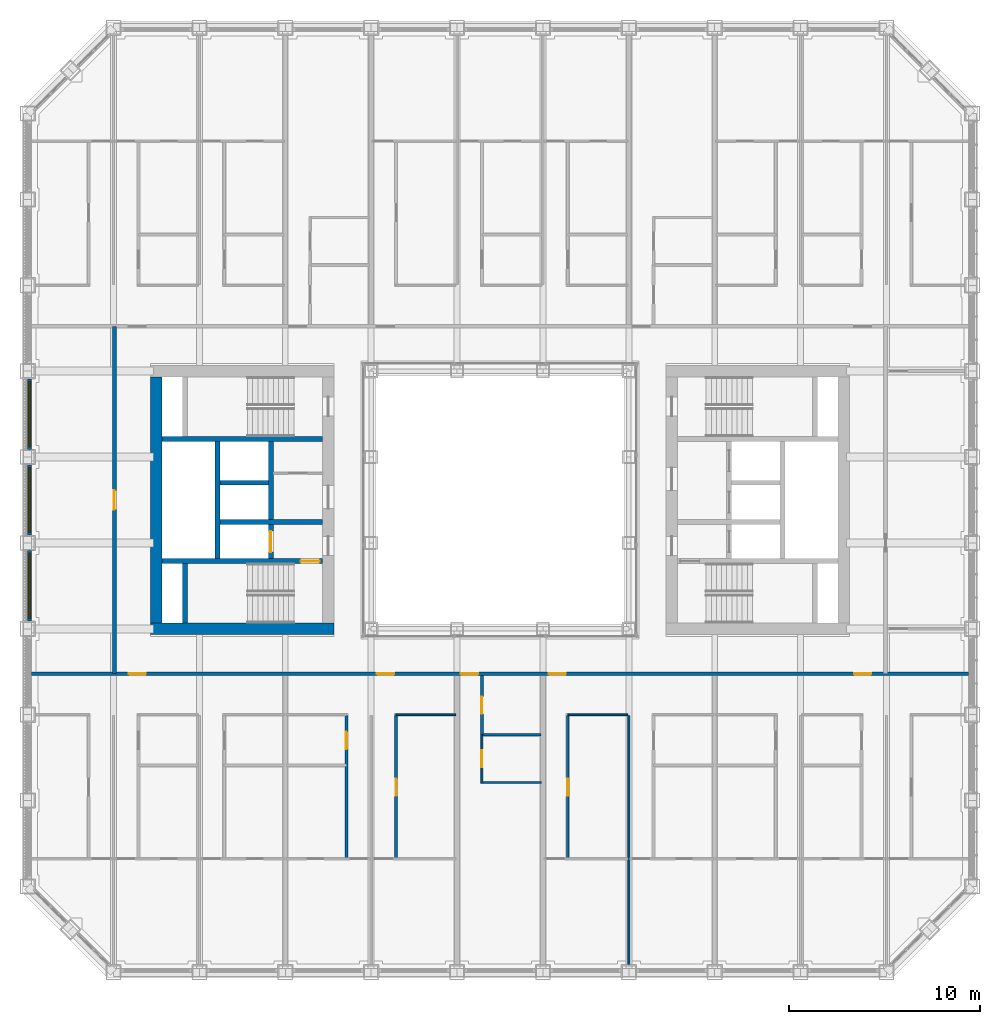
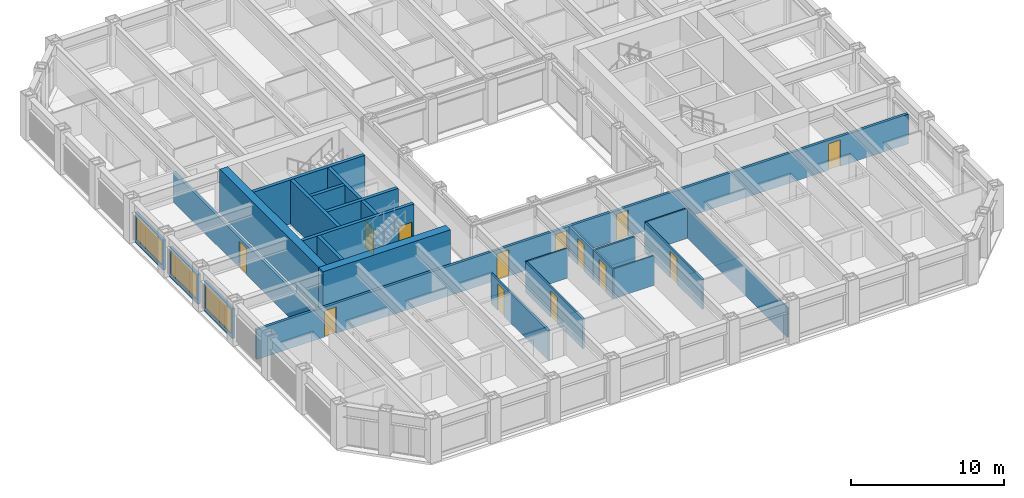
# One storey, part 10 of 20: 24 walls, 13 doors, 3 windows, 16 openings.
"""IFC4 building model written with IfcOpenShell, lengths in metres."""

import ifcopenshell
import ifcopenshell.guid

model = None  # the IFC model being written
_history = None  # IfcOwnerHistory: only IFC2X3 demands one
_inside = {}  # id of a spatial element -> (the spatial element, [elements in it])
_under = {}  # id of a project, library or spatial element -> (it, [spatial elements below it])
_declared = {}  # id of a project -> (the project, [libraries it declares])
_typed = {}  # id of a type object -> (the type object, [elements of that type])
_made_of = {}  # id of a material, layer set ... -> (it, [elements and type objects made of it])


def new_model(schema):
    """Start an empty IFC model of exactly this schema.

    Asked for "IFC4X3", IfcOpenShell would pick the latest addendum, in which some entities
    have other attributes; the version numbers below select the first issue.
    IFC2X3 requires an IfcOwnerHistory on every rooted entity: one is made here for all.
    """
    global model, _history
    if schema == "IFC4X3":
        model = ifcopenshell.file(schema_version=(4, 3, 0, 0))
    else:
        model = ifcopenshell.file(schema=schema)
    _inside.clear()
    _under.clear()
    _declared.clear()
    _typed.clear()
    _made_of.clear()
    _history = None
    if model.schema == "IFC2X3":
        org = make("IfcOrganization", Name="unknown")
        user = make(
            "IfcPersonAndOrganization",
            ThePerson=make("IfcPerson", FamilyName="unknown"),
            TheOrganization=org,
        )
        app = make(
            "IfcApplication",
            ApplicationDeveloper=org,
            Version="unknown",
            ApplicationFullName="unknown",
            ApplicationIdentifier="unknown",
        )
        _history = make(
            "IfcOwnerHistory",
            OwningUser=user,
            OwningApplication=app,
            ChangeAction="ADDED",
            CreationDate=0,
        )
    return model


def make(cls, **values):
    """One entity of the class cls with the attributes given. An attribute that is None is left unset."""
    return model.create_entity(
        cls, **{name: value for name, value in values.items() if value is not None}
    )


def rooted(cls, **values):
    """An entity with a GlobalId (a new one), such as an element, a storey or a relation."""
    return make(cls, GlobalId=ifcopenshell.guid.new(), OwnerHistory=_history, **values)


def si_unit(unit_type, name, prefix=None):
    """IfcSIUnit, for example si_unit("LENGTHUNIT", "METRE", prefix="MILLI")."""
    return make("IfcSIUnit", UnitType=unit_type, Prefix=prefix, Name=name)


def assignment(units):
    """IfcUnitAssignment: the units of a project."""
    return None if units is None else make("IfcUnitAssignment", Units=units)


def point(xyz):
    """IfcCartesianPoint."""
    return None if xyz is None else make("IfcCartesianPoint", Coordinates=xyz)


def direction(xyz):
    """IfcDirection."""
    return None if xyz is None else make("IfcDirection", DirectionRatios=xyz)


def frame(location, z_axis=None, x_axis=None):
    """IfcAxis2Placement3D, a coordinate frame: its origin and axes. An axis left out is left unset."""
    return make(
        "IfcAxis2Placement3D",
        Location=point(location),
        Axis=direction(z_axis),
        RefDirection=direction(x_axis),
    )


def frame_2d(location, x_axis=None):
    """IfcAxis2Placement2D, a coordinate frame in the plane: its origin and x axis."""
    return make(
        "IfcAxis2Placement2D", Location=point(location), RefDirection=direction(x_axis)
    )


def origin():
    """The frame at (0, 0, 0) with its axes left unset."""
    return frame((0.0, 0.0, 0.0))


def place(relative_to, where):
    """IfcLocalPlacement: puts the frame where relative to a parent placement (None: the world)."""
    return make(
        "IfcLocalPlacement", PlacementRelTo=relative_to, RelativePlacement=where
    )


def context(
    kind, dimensions, precision=None, world=None, true_north=None, identifier=None
):
    """IfcGeometricRepresentationContext, for example the 3D "Model" context."""
    return make(
        "IfcGeometricRepresentationContext",
        ContextIdentifier=identifier,
        ContextType=kind,
        CoordinateSpaceDimension=dimensions,
        Precision=precision,
        WorldCoordinateSystem=world,
        TrueNorth=true_north,
    )


def subcontext(parent, identifier, kind, view, scale=None):
    """IfcGeometricRepresentationSubContext, for example "Body" below "Model"."""
    return make(
        "IfcGeometricRepresentationSubContext",
        ContextIdentifier=identifier,
        ContextType=kind,
        ParentContext=parent,
        TargetScale=scale,
        TargetView=view,
    )


def project(units=None, contexts=None):
    """IfcProject with its units and contexts."""
    return rooted(
        "IfcProject",
        Name="project",
        RepresentationContexts=contexts,
        UnitsInContext=assignment(units),
    )


def spatial(cls, under=None, at=None, **own):
    """A site, building, storey or space (cls), placed at a placement, below another one or the project."""
    s = rooted(cls, ObjectPlacement=at, **own)
    if under is not None:
        _under.setdefault(under.id(), (under, []))[1].append(s)
    return s


def profile(cls, at=None, kind="AREA", **sizes):
    """A parametric profile (cls). Its sizes go by their IFC names, for example OverallWidth=200.0."""
    return make(cls, ProfileType=kind, Position=at, **sizes)


def rectangle(**sizes):
    """IfcRectangleProfileDef."""
    return profile("IfcRectangleProfileDef", **sizes)


def extrude(swept, where, along, depth):
    """IfcExtrudedAreaSolid: the profile swept, set in the frame where, extruded along a direction by depth."""
    return make(
        "IfcExtrudedAreaSolid",
        SweptArea=swept,
        Position=where,
        ExtrudedDirection=direction(along),
        Depth=depth,
    )


def shape(context_of_items, identifier, shape_type, items):
    """IfcShapeRepresentation: the items that make up one representation, for example the "Body"."""
    return make(
        "IfcShapeRepresentation",
        ContextOfItems=context_of_items,
        RepresentationIdentifier=identifier,
        RepresentationType=shape_type,
        Items=items,
    )


def material(Name=None, Category=None):
    """IfcMaterial."""
    return make("IfcMaterial", Name=Name, Category=Category)


def layer(
    of_material, thickness, ventilated=None, Name=None, Category=None, Priority=None
):
    """IfcMaterialLayer: one layer of a wall or slab, of a material (None: an air gap)."""
    return make(
        "IfcMaterialLayer",
        Material=of_material,
        LayerThickness=thickness,
        IsVentilated=ventilated,
        Name=Name,
        Category=Category,
        Priority=Priority,
    )


def layer_set(layers, Name=None):
    """IfcMaterialLayerSet."""
    return make("IfcMaterialLayerSet", MaterialLayers=layers, LayerSetName=Name)


def made_of(thing, what):
    """Note that an element or type object is made of a material, layer set ...; save() writes the relation."""
    if what is not None:
        _made_of.setdefault(what.id(), (what, []))[1].append(thing)
    return thing


def type_object(cls, material=None, **own):
    """A type object (cls), such as IfcWallType, which elements share."""
    return made_of(rooted(cls, **own), material)


def element(
    cls,
    number,
    at=None,
    inside=None,
    cuts=None,
    type_object=None,
    material=None,
    context=None,
    identifier="Body",
    shape_type=None,
    held_by="IfcProductDefinitionShape",
    body=None,
    shapes=None,
    **own,
):
    """One element of the class cls, such as IfcWall. Its Tag is "e" and its number.

    at: its placement. inside: the storey or other place that contains it. cuts: it is an
    opening in that element (IfcRelVoidsElement). A single representation is given by context,
    identifier, shape_type and body (its items); several are given by shapes. held_by: the class
    of the entity that holds the representations. save() writes the other relations.
    """
    e = rooted(cls, Tag="e%d" % number, ObjectPlacement=at, **own)
    if body is not None:
        shapes = [shape(context, identifier, shape_type, body)]
    if shapes is not None:
        e.Representation = make(held_by, Representations=shapes)
    if inside is not None:
        _inside.setdefault(inside.id(), (inside, []))[1].append(e)
    if cuts is not None:
        rooted(
            "IfcRelVoidsElement", RelatingBuildingElement=cuts, RelatedOpeningElement=e
        )
    if type_object is not None:
        _typed.setdefault(type_object.id(), (type_object, []))[1].append(e)
    return made_of(e, material)


def fill(opening, filler):
    """IfcRelFillsElement: the door or window that sits in an opening."""
    return rooted(
        "IfcRelFillsElement",
        RelatingOpeningElement=opening,
        RelatedBuildingElement=filler,
    )


def aggregate(whole, parts):
    """IfcRelAggregates: a whole, such as a stair, and the parts it consists of."""
    return rooted("IfcRelAggregates", RelatingObject=whole, RelatedObjects=parts)


def save(model, path):
    """Write the relations noted so far, then the file.

    IfcRelAggregates (storeys below a building ...), IfcRelContainedInSpatialStructure (elements
    in a storey), IfcRelDefinesByType, IfcRelAssociatesMaterial and IfcRelDeclares: one each for
    every whole, place, type object, material and project.
    """
    for whole, parts in _under.values():
        aggregate(whole, parts)
    for where, things in _inside.values():
        rooted(
            "IfcRelContainedInSpatialStructure",
            RelatedElements=things,
            RelatingStructure=where,
        )
    for kind, things in _typed.values():
        rooted("IfcRelDefinesByType", RelatedObjects=things, RelatingType=kind)
    for what, things in _made_of.values():
        rooted("IfcRelAssociatesMaterial", RelatedObjects=things, RelatingMaterial=what)
    for by, libraries in _declared.values():
        rooted("IfcRelDeclares", RelatingContext=by, RelatedDefinitions=libraries)
    model.write(path)


model = new_model("IFC4")

# Units and contexts
model_context = context("Model", 3, precision=1e-05, world=origin(), true_north=direction((0.0, 1.0)))
body_context = subcontext(model_context, "Body", "Model", "MODEL_VIEW")
ifc_project = project(units=[si_unit("LENGTHUNIT", "METRE"), si_unit("AREAUNIT", "SQUARE_METRE"), si_unit("VOLUMEUNIT", "CUBIC_METRE"), si_unit("PLANEANGLEUNIT", "RADIAN"), si_unit("MASSUNIT", "GRAM", prefix="KILO")], contexts=[model_context])

# Site, building, storey
site_placement = place(None, origin())
site = spatial("IfcSite", under=ifc_project, at=site_placement, CompositionType="ELEMENT")
building_placement = place(site_placement, origin())
building = spatial("IfcBuilding", under=site, at=building_placement, Name="Msasa Ring Tower", CompositionType="ELEMENT")
storey_placement = place(building_placement, frame((0.0, 0.0, 65.0)))
storey = spatial("IfcBuildingStorey", under=building, at=storey_placement, Name="L16", CompositionType="ELEMENT", Elevation=65.0)

# Walls
ifc_material_1 = material(Name="Concrete C60/75", Category="concrete")
ifc_layer_1 = layer(ifc_material_1, 0.60009765625)
ifc_layer_set_1 = layer_set([ifc_layer_1], Name="CW1 CORE WALL 600")
wall_type_1 = type_object("IfcWallType", Name="CW1 CORE WALL 600", PredefinedType="SHEAR", material=ifc_layer_set_1)
wall_1_placement = place(storey_placement, frame((-8.699951171875, -6.75, 0.0), z_axis=(0.0, 0.0, 1.0), x_axis=(-1.0, 0.0, 0.0)))
element("IfcWall", 1, at=wall_1_placement, inside=storey, type_object=wall_type_1, Name="W core wall S L16", PredefinedType="SHEAR", context=body_context, shape_type="SweptSolid", body=[
    extrude(rectangle(XDim=9.60009765625, YDim=0.60009765625, at=frame_2d((4.800048828125, 0.0))), origin(), (0.0, 0.0, 1.0), 3.5),
])
wall_2_placement = place(storey_placement, frame((-18.0, -6.449951171875, 0.0), z_axis=(0.0, 0.0, 1.0), x_axis=(0.0, 1.0, 0.0)))
element("IfcWall", 2, at=wall_2_placement, inside=storey, type_object=wall_type_1, Name="W core wall E L16", PredefinedType="SHEAR", context=body_context, shape_type="SweptSolid", body=[
    extrude(rectangle(XDim=12.89990234375, YDim=0.60009765625, at=frame_2d((6.449951171875, 0.0))), origin(), (0.0, 0.0, 1.0), 3.5),
])

# Wall, opening, door
ifc_material_2 = material(Name="Concrete C60/75", Category="concrete")
ifc_layer_2 = layer(ifc_material_2, 0.25)
ifc_layer_set_2 = layer_set([ifc_layer_2], Name="CW4 CORE INNER WALL 250")
wall_type_2 = type_object("IfcWallType", Name="CW4 CORE INNER WALL 250", PredefinedType="SHEAR", material=ifc_layer_set_2)
wall_3_placement = place(storey_placement, frame((-9.300048828125, -3.199951171875, 0.0), z_axis=(0.0, 0.0, 1.0), x_axis=(-1.0, 0.0, 0.0)))
wall_3 = element("IfcWall", 3, at=wall_3_placement, inside=storey, type_object=wall_type_2, Name="W core wall STAIRA L16", PredefinedType="SHEAR", context=body_context, shape_type="SweptSolid", body=[
    extrude(rectangle(XDim=8.39990234375, YDim=0.25, at=frame_2d((4.199951171875, 0.0))), origin(), (0.0, 0.0, 1.0), 3.5),
])
opening_1_placement = place(wall_3_placement, frame((0.14990234375, 0.0, 0.0)))
opening_1 = element("IfcOpeningElement", 4, at=opening_1_placement, cuts=wall_3, Name="Opening RD-044", PredefinedType="OPENING", context=body_context, shape_type="SweptSolid", body=[
    extrude(rectangle(XDim=1.0, YDim=2.10009765625, at=frame_2d((0.5, 1.050048828125))), frame((0.0, 0.135009765625, 0.0), z_axis=(0.0, -1.0, 0.0), x_axis=(1.0, 0.0, 0.0)), (0.0, 0.0, 1.0), 0.27001953125),
])
ifc_material_3 = material(Name="Timber door leaf in a steel frame", Category="steel")
door_type_1 = type_object("IfcDoorType", Name="D6 STAIR DOOR 1000x2100", OperationType="SINGLE_SWING_LEFT", PredefinedType="DOOR", material=ifc_material_3)
door_1_placement = place(opening_1_placement, origin())
door_1 = element("IfcDoor", 5, at=door_1_placement, inside=storey, type_object=door_type_1, Name="Door L16-WSTA", OperationType="SINGLE_SWING_LEFT", OverallHeight=2.10009765625, OverallWidth=1.0, PredefinedType="DOOR", context=body_context, shape_type="SweptSolid", body=[
    extrude(rectangle(XDim=1.0, YDim=2.10009765625, at=frame_2d((0.5, 1.050048828125))), frame((0.0, 0.02490234375, 0.0), z_axis=(0.0, -1.0, 0.0), x_axis=(1.0, 0.0, 0.0)), (0.0, 0.0, 1.0), 0.050048828125),
])
fill(opening_1, door_1)

# Walls
wall_4_placement = place(storey_placement, frame((-9.300048828125, 3.199951171875, 0.0), z_axis=(0.0, 0.0, 1.0), x_axis=(-1.0, 0.0, 0.0)))
element("IfcWall", 6, at=wall_4_placement, inside=storey, type_object=wall_type_2, Name="W core wall STAIRB L16", PredefinedType="SHEAR", context=body_context, shape_type="SweptSolid", body=[
    extrude(rectangle(XDim=8.39990234375, YDim=0.25, at=frame_2d((4.199951171875, 0.0))), origin(), (0.0, 0.0, 1.0), 3.5),
])
wall_5_placement = place(storey_placement, frame((-16.5, -6.449951171875, 0.0), z_axis=(0.0, 0.0, 1.0), x_axis=(0.0, 1.0, 0.0)))
element("IfcWall", 7, at=wall_5_placement, inside=storey, type_object=wall_type_2, Name="W core wall RISERA L16", PredefinedType="SHEAR", context=body_context, shape_type="SweptSolid", body=[
    extrude(rectangle(XDim=3.125, YDim=0.25, at=frame_2d((1.5625, 0.0))), origin(), (0.0, 0.0, 1.0), 3.5),
])
wall_6_placement = place(storey_placement, frame((-9.300048828125, -1.14990234375, 0.0), z_axis=(0.0, 0.0, 1.0), x_axis=(-1.0, 0.0, 0.0)))
element("IfcWall", 8, at=wall_6_placement, inside=storey, type_object=wall_type_2, Name="W core wall FFL L16", PredefinedType="SHEAR", context=body_context, shape_type="SweptSolid", body=[
    extrude(rectangle(XDim=5.375, YDim=0.25, at=frame_2d((2.6875, 0.0))), origin(), (0.0, 0.0, 1.0), 3.5),
])

# Wall, opening, door
wall_7_placement = place(storey_placement, frame((-12.0, -3.074951171875, 0.0), z_axis=(0.0, 0.0, 1.0), x_axis=(0.0, 1.0, 0.0)))
wall_7 = element("IfcWall", 9, at=wall_7_placement, inside=storey, type_object=wall_type_2, Name="W core wall LOBBY L16", PredefinedType="SHEAR", context=body_context, shape_type="SweptSolid", body=[
    extrude(rectangle(XDim=6.14990234375, YDim=0.25, at=frame_2d((3.074951171875, 0.0))), origin(), (0.0, 0.0, 1.0), 3.5),
])
opening_2_placement = place(wall_7_placement, frame((0.35009765625, 0.0, 0.0)))
opening_2 = element("IfcOpeningElement", 10, at=opening_2_placement, cuts=wall_7, Name="Opening LD1", PredefinedType="OPENING", context=body_context, shape_type="SweptSolid", body=[
    extrude(rectangle(XDim=1.10009765625, YDim=2.10009765625, at=frame_2d((0.550048828125, 1.050048828125))), frame((0.0, 0.135009765625, 0.0), z_axis=(0.0, -1.0, 0.0), x_axis=(1.0, 0.0, 0.0)), (0.0, 0.0, 1.0), 0.27001953125),
])
ifc_material_4 = material(Name="Stainless steel lift landing door", Category="steel")
door_type_2 = type_object("IfcDoorType", Name="LD1 LIFT LANDING DOOR 1100x2100", OperationType="DOUBLE_DOOR_SLIDING", PredefinedType="DOOR", material=ifc_material_4)
door_2_placement = place(opening_2_placement, origin())
door_2 = element("IfcDoor", 11, at=door_2_placement, inside=storey, type_object=door_type_2, Name="Lift landing door FL-W L16", OperationType="DOUBLE_DOOR_SLIDING", OverallHeight=2.10009765625, OverallWidth=1.10009765625, PredefinedType="DOOR", context=body_context, shape_type="SweptSolid", body=[
    extrude(rectangle(XDim=1.10009765625, YDim=2.10009765625, at=frame_2d((0.550048828125, 1.050048828125))), frame((0.0, 0.02490234375, 0.0), z_axis=(0.0, -1.0, 0.0), x_axis=(1.0, 0.0, 0.0)), (0.0, 0.0, 1.0), 0.050048828125),
])
fill(opening_2, door_2)

# Walls
wall_8_placement = place(storey_placement, frame((-14.800048828125, -3.074951171875, 0.0), z_axis=(0.0, 0.0, 1.0), x_axis=(0.0, 1.0, 0.0)))
element("IfcWall", 12, at=wall_8_placement, inside=storey, type_object=wall_type_2, Name="W core wall SHAFT L16", PredefinedType="SHEAR", context=body_context, shape_type="SweptSolid", body=[
    extrude(rectangle(XDim=6.14990234375, YDim=0.25, at=frame_2d((3.074951171875, 0.0))), origin(), (0.0, 0.0, 1.0), 3.5),
])
wall_9_placement = place(storey_placement, frame((-12.125, 0.89990234375, 0.0), z_axis=(0.0, 0.0, 1.0), x_axis=(-1.0, 0.0, 0.0)))
element("IfcWall", 13, at=wall_9_placement, inside=storey, type_object=wall_type_2, Name="W core wall LIFT1 L16", PredefinedType="SHEAR", context=body_context, shape_type="SweptSolid", body=[
    extrude(rectangle(XDim=2.550048828125, YDim=0.25, at=frame_2d((1.27490234375, 0.0))), origin(), (0.0, 0.0, 1.0), 3.5),
])

# Wall, opening, window
ifc_material_5 = material(Name="Terracotta rainscreen on blockwork", Category="masonry")
ifc_layer_3 = layer(ifc_material_5, 0.199951171875)
ifc_layer_set_3 = layer_set([ifc_layer_3], Name="FW1 TERRACOTTA-LINED INFILL BAY WALL 200")
wall_type_3 = type_object("IfcWallType", Name="FW1 TERRACOTTA-LINED INFILL BAY WALL 200", PredefinedType="SOLIDWALL", material=ifc_layer_set_3)
wall_10_placement = place(storey_placement, frame((-24.64990234375, -6.344970703125, 0.0), z_axis=(0.0, 0.0, 1.0), x_axis=(0.0, 1.0, 0.0)))
wall_10 = element("IfcWall", 14, at=wall_10_placement, inside=storey, type_object=wall_type_3, Name="Infill bay wall W L16 36", PredefinedType="SOLIDWALL", context=body_context, shape_type="SweptSolid", body=[
    extrude(rectangle(XDim=3.68994140625, YDim=0.199951171875, at=frame_2d((1.844970703125, 0.0))), origin(), (0.0, 0.0, 1.0), 2.37890625),
])
opening_3_placement = place(wall_10_placement, frame((0.14501953125, 0.0, 0.300048828125)))
opening_3 = element("IfcOpeningElement", 15, at=opening_3_placement, cuts=wall_10, Name="Opening WN1", PredefinedType="OPENING", context=body_context, shape_type="SweptSolid", body=[
    extrude(rectangle(XDim=3.39990234375, YDim=1.928955078125, at=frame_2d((1.699951171875, 0.96435546875))), frame((0.0, 0.10986328125, 0.0), z_axis=(0.0, -1.0, 0.0), x_axis=(1.0, 0.0, 0.0)), (0.0, 0.0, 1.0), 0.219970703125),
])
ifc_material_6 = material(Name="Aluminium frame with clear glass", Category="aluminium")
window_type = type_object("IfcWindowType", Name="WN1 RESIDENCE WINDOW 3400x1929", PartitioningType="SINGLE_PANEL", PredefinedType="WINDOW", material=ifc_material_6)
window_1_placement = place(opening_3_placement, origin())
window_1 = element("IfcWindow", 16, at=window_1_placement, inside=storey, type_object=window_type, Name="Window W L16 36", OverallHeight=1.928955078125, OverallWidth=3.39990234375, PartitioningType="SINGLE_PANEL", PredefinedType="WINDOW", context=body_context, shape_type="SweptSolid", body=[
    extrude(rectangle(XDim=3.39990234375, YDim=1.928955078125, at=frame_2d((1.699951171875, 0.96435546875))), frame((0.0, 0.030029296875, 0.0), z_axis=(0.0, -1.0, 0.0), x_axis=(1.0, 0.0, 0.0)), (0.0, 0.0, 1.0), 0.06005859375),
])
fill(opening_3, window_1)

wall_11_placement = place(storey_placement, frame((-24.64990234375, -1.844970703125, 0.0), z_axis=(0.0, 0.0, 1.0), x_axis=(0.0, 1.0, 0.0)))
wall_11 = element("IfcWall", 17, at=wall_11_placement, inside=storey, type_object=wall_type_3, Name="Infill bay wall W L16 37", PredefinedType="SOLIDWALL", context=body_context, shape_type="SweptSolid", body=[
    extrude(rectangle(XDim=3.68994140625, YDim=0.199951171875, at=frame_2d((1.844970703125, 0.0))), origin(), (0.0, 0.0, 1.0), 2.37890625),
])
opening_4_placement = place(wall_11_placement, frame((0.14501953125, 0.0, 0.300048828125)))
opening_4 = element("IfcOpeningElement", 18, at=opening_4_placement, cuts=wall_11, Name="Opening WN1", PredefinedType="OPENING", context=body_context, shape_type="SweptSolid", body=[
    extrude(rectangle(XDim=3.39990234375, YDim=1.928955078125, at=frame_2d((1.699951171875, 0.96435546875))), frame((0.0, 0.10986328125, 0.0), z_axis=(0.0, -1.0, 0.0), x_axis=(1.0, 0.0, 0.0)), (0.0, 0.0, 1.0), 0.219970703125),
])
window_2_placement = place(opening_4_placement, origin())
window_2 = element("IfcWindow", 19, at=window_2_placement, inside=storey, type_object=window_type, Name="Window W L16 37", OverallHeight=1.928955078125, OverallWidth=3.39990234375, PartitioningType="SINGLE_PANEL", PredefinedType="WINDOW", context=body_context, shape_type="SweptSolid", body=[
    extrude(rectangle(XDim=3.39990234375, YDim=1.928955078125, at=frame_2d((1.699951171875, 0.96435546875))), frame((0.0, 0.030029296875, 0.0), z_axis=(0.0, -1.0, 0.0), x_axis=(1.0, 0.0, 0.0)), (0.0, 0.0, 1.0), 0.06005859375),
])
fill(opening_4, window_2)

wall_12_placement = place(storey_placement, frame((-24.64990234375, 2.655029296875, 0.0), z_axis=(0.0, 0.0, 1.0), x_axis=(0.0, 1.0, 0.0)))
wall_12 = element("IfcWall", 20, at=wall_12_placement, inside=storey, type_object=wall_type_3, Name="Infill bay wall W L16 38", PredefinedType="SOLIDWALL", context=body_context, shape_type="SweptSolid", body=[
    extrude(rectangle(XDim=3.68994140625, YDim=0.199951171875, at=frame_2d((1.844970703125, 0.0))), origin(), (0.0, 0.0, 1.0), 2.37890625),
])
opening_5_placement = place(wall_12_placement, frame((0.14501953125, 0.0, 0.300048828125)))
opening_5 = element("IfcOpeningElement", 21, at=opening_5_placement, cuts=wall_12, Name="Opening WN1", PredefinedType="OPENING", context=body_context, shape_type="SweptSolid", body=[
    extrude(rectangle(XDim=3.39990234375, YDim=1.928955078125, at=frame_2d((1.699951171875, 0.96435546875))), frame((0.0, 0.10986328125, 0.0), z_axis=(0.0, -1.0, 0.0), x_axis=(1.0, 0.0, 0.0)), (0.0, 0.0, 1.0), 0.219970703125),
])
window_3_placement = place(opening_5_placement, origin())
window_3 = element("IfcWindow", 22, at=window_3_placement, inside=storey, type_object=window_type, Name="Window W L16 38", OverallHeight=1.928955078125, OverallWidth=3.39990234375, PartitioningType="SINGLE_PANEL", PredefinedType="WINDOW", context=body_context, shape_type="SweptSolid", body=[
    extrude(rectangle(XDim=3.39990234375, YDim=1.928955078125, at=frame_2d((1.699951171875, 0.96435546875))), frame((0.0, 0.030029296875, 0.0), z_axis=(0.0, -1.0, 0.0), x_axis=(1.0, 0.0, 0.0)), (0.0, 0.0, 1.0), 0.06005859375),
])
fill(opening_5, window_3)

# Wall, openings, doors
ifc_material_7 = material(Name="Concrete blockwork", Category="masonry")
ifc_layer_4 = layer(ifc_material_7, 0.199951171875)
ifc_layer_set_4 = layer_set([ifc_layer_4], Name="PT1 CORRIDOR WALL 200")
wall_type_4 = type_object("IfcWallType", Name="PT1 CORRIDOR WALL 200", PredefinedType="PARTITIONING", material=ifc_layer_set_4)
wall_13_placement = place(storey_placement, frame((-24.550048828125, -9.10009765625, 0.0), z_axis=(0.0, 0.0, 1.0), x_axis=(1.0, 0.0, 0.0)))
wall_13 = element("IfcWall", 23, at=wall_13_placement, inside=storey, type_object=wall_type_4, Name="Corridor wall L16-CORRS0", PredefinedType="PARTITIONING", context=body_context, shape_type="SweptSolid", body=[
    extrude(rectangle(XDim=49.10009765625, YDim=0.199951171875, at=frame_2d((24.550048828125, 0.0))), origin(), (0.0, 0.0, 1.0), 2.373291015625),
])
opening_6_placement = place(wall_13_placement, frame((5.10009765625, 0.0, 0.0)))
opening_6 = element("IfcOpeningElement", 24, at=opening_6_placement, cuts=wall_13, Name="Opening RD-047", PredefinedType="OPENING", context=body_context, shape_type="SweptSolid", body=[
    extrude(rectangle(XDim=0.89990234375, YDim=2.10009765625, at=frame_2d((0.449951171875, 1.050048828125))), frame((0.0, 0.10986328125, 0.0), z_axis=(0.0, -1.0, 0.0), x_axis=(1.0, 0.0, 0.0)), (0.0, 0.0, 1.0), 0.219970703125),
])
opening_7_placement = place(wall_13_placement, frame((18.10009765625, 0.0, 0.0)))
opening_7 = element("IfcOpeningElement", 25, at=opening_7_placement, cuts=wall_13, Name="Opening RD-048", PredefinedType="OPENING", context=body_context, shape_type="SweptSolid", body=[
    extrude(rectangle(XDim=0.89990234375, YDim=2.10009765625, at=frame_2d((0.449951171875, 1.050048828125))), frame((0.0, 0.10986328125, 0.0), z_axis=(0.0, -1.0, 0.0), x_axis=(1.0, 0.0, 0.0)), (0.0, 0.0, 1.0), 0.219970703125),
])
opening_8_placement = place(wall_13_placement, frame((22.5, 0.0, 0.0)))
opening_8 = element("IfcOpeningElement", 26, at=opening_8_placement, cuts=wall_13, Name="Opening RD-049", PredefinedType="OPENING", context=body_context, shape_type="SweptSolid", body=[
    extrude(rectangle(XDim=0.89990234375, YDim=2.10009765625, at=frame_2d((0.449951171875, 1.050048828125))), frame((0.0, 0.10986328125, 0.0), z_axis=(0.0, -1.0, 0.0), x_axis=(1.0, 0.0, 0.0)), (0.0, 0.0, 1.0), 0.219970703125),
])
opening_9_placement = place(wall_13_placement, frame((27.10009765625, 0.0, 0.0)))
opening_9 = element("IfcOpeningElement", 27, at=opening_9_placement, cuts=wall_13, Name="Opening RD-050", PredefinedType="OPENING", context=body_context, shape_type="SweptSolid", body=[
    extrude(rectangle(XDim=0.89990234375, YDim=2.10009765625, at=frame_2d((0.449951171875, 1.050048828125))), frame((0.0, 0.10986328125, 0.0), z_axis=(0.0, -1.0, 0.0), x_axis=(1.0, 0.0, 0.0)), (0.0, 0.0, 1.0), 0.219970703125),
])
opening_10_placement = place(wall_13_placement, frame((43.10009765625, 0.0, 0.0)))
opening_10 = element("IfcOpeningElement", 28, at=opening_10_placement, cuts=wall_13, Name="Opening RD-051", PredefinedType="OPENING", context=body_context, shape_type="SweptSolid", body=[
    extrude(rectangle(XDim=0.89990234375, YDim=2.10009765625, at=frame_2d((0.449951171875, 1.050048828125))), frame((0.0, 0.10986328125, 0.0), z_axis=(0.0, -1.0, 0.0), x_axis=(1.0, 0.0, 0.0)), (0.0, 0.0, 1.0), 0.219970703125),
])
ifc_material_8 = material(Name="Timber door leaf in a steel frame", Category="steel")
door_type_3 = type_object("IfcDoorType", Name="D2 ENTRANCE DOOR 900x2100", OperationType="SINGLE_SWING_LEFT", PredefinedType="DOOR", material=ifc_material_8)
door_3_placement = place(opening_6_placement, origin())
door_3 = element("IfcDoor", 29, at=door_3_placement, inside=storey, type_object=door_type_3, Name="Door L16-US00", OperationType="SINGLE_SWING_LEFT", OverallHeight=2.10009765625, OverallWidth=0.89990234375, PredefinedType="DOOR", context=body_context, shape_type="SweptSolid", body=[
    extrude(rectangle(XDim=0.89990234375, YDim=2.10009765625, at=frame_2d((0.449951171875, 1.050048828125))), frame((0.0, 0.02490234375, 0.0), z_axis=(0.0, -1.0, 0.0), x_axis=(1.0, 0.0, 0.0)), (0.0, 0.0, 1.0), 0.050048828125),
])
fill(opening_6, door_3)
door_4_placement = place(opening_7_placement, origin())
door_4 = element("IfcDoor", 30, at=door_4_placement, inside=storey, type_object=door_type_3, Name="Door L16-US01", OperationType="SINGLE_SWING_LEFT", OverallHeight=2.10009765625, OverallWidth=0.89990234375, PredefinedType="DOOR", context=body_context, shape_type="SweptSolid", body=[
    extrude(rectangle(XDim=0.89990234375, YDim=2.10009765625, at=frame_2d((0.449951171875, 1.050048828125))), frame((0.0, 0.02490234375, 0.0), z_axis=(0.0, -1.0, 0.0), x_axis=(1.0, 0.0, 0.0)), (0.0, 0.0, 1.0), 0.050048828125),
])
fill(opening_7, door_4)
door_5_placement = place(opening_8_placement, origin())
door_5 = element("IfcDoor", 31, at=door_5_placement, inside=storey, type_object=door_type_3, Name="Door L16-US02", OperationType="SINGLE_SWING_LEFT", OverallHeight=2.10009765625, OverallWidth=0.89990234375, PredefinedType="DOOR", context=body_context, shape_type="SweptSolid", body=[
    extrude(rectangle(XDim=0.89990234375, YDim=2.10009765625, at=frame_2d((0.449951171875, 1.050048828125))), frame((0.0, 0.02490234375, 0.0), z_axis=(0.0, -1.0, 0.0), x_axis=(1.0, 0.0, 0.0)), (0.0, 0.0, 1.0), 0.050048828125),
])
fill(opening_8, door_5)
door_6_placement = place(opening_9_placement, origin())
door_6 = element("IfcDoor", 32, at=door_6_placement, inside=storey, type_object=door_type_3, Name="Door L16-US03", OperationType="SINGLE_SWING_RIGHT", OverallHeight=2.10009765625, OverallWidth=0.89990234375, PredefinedType="DOOR", context=body_context, shape_type="SweptSolid", body=[
    extrude(rectangle(XDim=0.89990234375, YDim=2.10009765625, at=frame_2d((0.449951171875, 1.050048828125))), frame((0.0, 0.02490234375, 0.0), z_axis=(0.0, -1.0, 0.0), x_axis=(1.0, 0.0, 0.0)), (0.0, 0.0, 1.0), 0.050048828125),
])
fill(opening_9, door_6)
door_7_placement = place(opening_10_placement, origin())
door_7 = element("IfcDoor", 33, at=door_7_placement, inside=storey, type_object=door_type_3, Name="Door L16-US04", OperationType="SINGLE_SWING_RIGHT", OverallHeight=2.10009765625, OverallWidth=0.89990234375, PredefinedType="DOOR", context=body_context, shape_type="SweptSolid", body=[
    extrude(rectangle(XDim=0.89990234375, YDim=2.10009765625, at=frame_2d((0.449951171875, 1.050048828125))), frame((0.0, 0.02490234375, 0.0), z_axis=(0.0, -1.0, 0.0), x_axis=(1.0, 0.0, 0.0)), (0.0, 0.0, 1.0), 0.050048828125),
])
fill(opening_10, door_7)

# Wall, opening, door
wall_14_placement = place(storey_placement, frame((-20.199951171875, -9.10009765625, 0.0), z_axis=(0.0, 0.0, 1.0), x_axis=(0.0, 1.0, 0.0)))
wall_14 = element("IfcWall", 34, at=wall_14_placement, inside=storey, type_object=wall_type_4, Name="Corridor wall L16-STRW", PredefinedType="PARTITIONING", context=body_context, shape_type="SweptSolid", body=[
    extrude(rectangle(XDim=18.2001953125, YDim=0.199951171875, at=frame_2d((9.10009765625, 0.0))), origin(), (0.0, 0.0, 1.0), 2.373291015625),
])
opening_11_placement = place(wall_14_placement, frame((8.60009765625, 0.0, 0.0)))
opening_11 = element("IfcOpeningElement", 35, at=opening_11_placement, cuts=wall_14, Name="Opening RD-040", PredefinedType="OPENING", context=body_context, shape_type="SweptSolid", body=[
    extrude(rectangle(XDim=1.0, YDim=2.10009765625, at=frame_2d((0.5, 1.050048828125))), frame((0.0, 0.10986328125, 0.0), z_axis=(0.0, -1.0, 0.0), x_axis=(1.0, 0.0, 0.0)), (0.0, 0.0, 1.0), 0.219970703125),
])
ifc_material_9 = material(Name="Timber door leaf in a steel frame", Category="steel")
door_type_4 = type_object("IfcDoorType", Name="D10 STORE DOOR 1000x2100", OperationType="SINGLE_SWING_LEFT", PredefinedType="DOOR", material=ifc_material_9)
door_8_placement = place(opening_11_placement, origin())
door_8 = element("IfcDoor", 36, at=door_8_placement, inside=storey, type_object=door_type_4, Name="Door L16-RSW", OperationType="SINGLE_SWING_LEFT", OverallHeight=2.10009765625, OverallWidth=1.0, PredefinedType="DOOR", context=body_context, shape_type="SweptSolid", body=[
    extrude(rectangle(XDim=1.0, YDim=2.10009765625, at=frame_2d((0.5, 1.050048828125))), frame((0.0, 0.02490234375, 0.0), z_axis=(0.0, -1.0, 0.0), x_axis=(1.0, 0.0, 0.0)), (0.0, 0.0, 1.0), 0.050048828125),
])
fill(opening_11, door_8)

# Walls
ifc_material_10 = material(Name="Gypsum board on steel studs", Category="steel")
ifc_layer_5 = layer(ifc_material_10, 0.10009765625)
ifc_layer_set_5 = layer_set([ifc_layer_5], Name="PT2 STUD PARTITION 100")
wall_type_5 = type_object("IfcWallType", Name="PT2 STUD PARTITION 100", PredefinedType="PARTITIONING", material=ifc_layer_set_5)
wall_15_placement = place(storey_placement, frame((-5.449951171875, -11.25, 0.0), z_axis=(0.0, 0.0, 1.0), x_axis=(1.0, 0.0, 0.0)))
element("IfcWall", 37, at=wall_15_placement, inside=storey, type_object=wall_type_5, Name="Partition L16-US01HY0", PredefinedType="PARTITIONING", context=body_context, shape_type="SweptSolid", body=[
    extrude(rectangle(XDim=3.139892578125, YDim=0.10009765625, at=frame_2d((1.56982421875, 0.0))), origin(), (0.0, 0.0, 1.0), 2.373291015625),
])
wall_16_placement = place(storey_placement, frame((-0.89990234375, -14.800048828125, 0.0), z_axis=(0.0, 0.0, 1.0), x_axis=(1.0, 0.0, 0.0)))
element("IfcWall", 38, at=wall_16_placement, inside=storey, type_object=wall_type_5, Name="Partition L16-US02KY", PredefinedType="PARTITIONING", context=body_context, shape_type="SweptSolid", body=[
    extrude(rectangle(XDim=3.0498046875, YDim=0.10009765625, at=frame_2d((1.52490234375, 0.0))), origin(), (0.0, 0.0, 1.0), 2.373291015625),
])

# Wall, opening, door
wall_17_placement = place(storey_placement, frame((-0.949951171875, -14.85009765625, 0.0), z_axis=(0.0, 0.0, 1.0), x_axis=(0.0, 1.0, 0.0)))
wall_17 = element("IfcWall", 39, at=wall_17_placement, inside=storey, type_object=wall_type_5, Name="Partition L16-US02KX", PredefinedType="PARTITIONING", context=body_context, shape_type="SweptSolid", body=[
    extrude(rectangle(XDim=2.550048828125, YDim=0.10009765625, at=frame_2d((1.27490234375, 0.0))), origin(), (0.0, 0.0, 1.0), 2.373291015625),
])
opening_12_placement = place(wall_17_placement, frame((0.840087890625, 0.0, 0.0)))
opening_12 = element("IfcOpeningElement", 40, at=opening_12_placement, cuts=wall_17, Name="Opening RD-059", PredefinedType="OPENING", context=body_context, shape_type="SweptSolid", body=[
    extrude(rectangle(XDim=0.89990234375, YDim=2.10009765625, at=frame_2d((0.449951171875, 1.050048828125))), frame((0.0, 0.06005859375, 0.0), z_axis=(0.0, -1.0, 0.0), x_axis=(1.0, 0.0, 0.0)), (0.0, 0.0, 1.0), 0.1201171875),
])
ifc_material_11 = material(Name="Timber door leaf in a steel frame", Category="steel")
door_type_5 = type_object("IfcDoorType", Name="D22 INTERNAL HALL DOOR 900x2100", OperationType="SINGLE_SWING_LEFT", PredefinedType="DOOR", material=ifc_material_11)
door_9_placement = place(opening_12_placement, origin())
door_9 = element("IfcDoor", 41, at=door_9_placement, inside=storey, type_object=door_type_5, Name="Door L16-US02K", OperationType="SINGLE_SWING_LEFT", OverallHeight=2.10009765625, OverallWidth=0.89990234375, PredefinedType="DOOR", context=body_context, shape_type="SweptSolid", body=[
    extrude(rectangle(XDim=0.89990234375, YDim=2.10009765625, at=frame_2d((0.449951171875, 1.050048828125))), frame((0.0, 0.02490234375, 0.0), z_axis=(0.0, -1.0, 0.0), x_axis=(1.0, 0.0, 0.0)), (0.0, 0.0, 1.0), 0.050048828125),
])
fill(opening_12, door_9)

# Walls
wall_18_placement = place(storey_placement, frame((3.550048828125, -11.25, 0.0), z_axis=(0.0, 0.0, 1.0), x_axis=(1.0, 0.0, 0.0)))
element("IfcWall", 42, at=wall_18_placement, inside=storey, type_object=wall_type_5, Name="Partition L16-US03HY0", PredefinedType="PARTITIONING", context=body_context, shape_type="SweptSolid", body=[
    extrude(rectangle(XDim=3.139892578125, YDim=0.10009765625, at=frame_2d((1.56982421875, 0.0))), origin(), (0.0, 0.0, 1.0), 2.373291015625),
])
wall_19_placement = place(storey_placement, frame((6.75, -24.35009765625, 0.0), z_axis=(0.0, 0.0, 1.0), x_axis=(0.0, 1.0, 0.0)))
element("IfcWall", 43, at=wall_19_placement, inside=storey, type_object=wall_type_5, Name="Partition L16-US03P1", PredefinedType="PARTITIONING", context=body_context, shape_type="SweptSolid", body=[
    extrude(rectangle(XDim=13.050048828125, YDim=0.10009765625, at=frame_2d((6.52490234375, 0.0))), origin(), (0.0, 0.0, 1.0), 2.373291015625),
])

# Wall, opening, door
ifc_material_12 = material(Name="Moisture-resistant board on steel studs with a concealed cistern and pipe void, tiled", Category="steel")
ifc_layer_6 = layer(ifc_material_12, 0.14990234375)
ifc_layer_set_6 = layer_set([ifc_layer_6], Name="PT4 BATHROOM WET WALL 150")
wall_type_6 = type_object("IfcWallType", Name="PT4 BATHROOM WET WALL 150", PredefinedType="PARTITIONING", material=ifc_layer_set_6)
wall_20_placement = place(storey_placement, frame((-5.449951171875, -18.800048828125, 0.0), z_axis=(0.0, 0.0, 1.0), x_axis=(0.0, 1.0, 0.0)))
wall_20 = element("IfcWall", 44, at=wall_20_placement, inside=storey, type_object=wall_type_6, Name="Partition L16-US01SX0", PredefinedType="PARTITIONING", context=body_context, shape_type="SweptSolid", body=[
    extrude(rectangle(XDim=7.5, YDim=0.14990234375, at=frame_2d((3.75, 0.0))), origin(), (0.0, 0.0, 1.0), 2.373291015625),
])
opening_13_placement = place(wall_20_placement, frame((3.300048828125, 0.0, 0.0)))
opening_13 = element("IfcOpeningElement", 45, at=opening_13_placement, cuts=wall_20, Name="Opening RD-061", PredefinedType="OPENING", context=body_context, shape_type="SweptSolid", body=[
    extrude(rectangle(XDim=0.89990234375, YDim=2.10009765625, at=frame_2d((0.449951171875, 1.050048828125))), frame((0.0, 0.0849609375, 0.0), z_axis=(0.0, -1.0, 0.0), x_axis=(1.0, 0.0, 0.0)), (0.0, 0.0, 1.0), 0.169921875),
])
door_10_placement = place(opening_13_placement, origin())
door_10 = element("IfcDoor", 46, at=door_10_placement, inside=storey, type_object=door_type_5, Name="Door L16-US01K", OperationType="SINGLE_SWING_LEFT", OverallHeight=2.10009765625, OverallWidth=0.89990234375, PredefinedType="DOOR", context=body_context, shape_type="SweptSolid", body=[
    extrude(rectangle(XDim=0.89990234375, YDim=2.10009765625, at=frame_2d((0.449951171875, 1.050048828125))), frame((0.0, 0.02490234375, 0.0), z_axis=(0.0, -1.0, 0.0), x_axis=(1.0, 0.0, 0.0)), (0.0, 0.0, 1.0), 0.050048828125),
])
fill(opening_13, door_10)

wall_21_placement = place(storey_placement, frame((-8.050048828125, -18.800048828125, 0.0), z_axis=(0.0, 0.0, 1.0), x_axis=(0.0, 1.0, 0.0)))
wall_21 = element("IfcWall", 47, at=wall_21_placement, inside=storey, type_object=wall_type_6, Name="Partition L16-US01SX1", PredefinedType="PARTITIONING", context=body_context, shape_type="SweptSolid", body=[
    extrude(rectangle(XDim=7.5, YDim=0.14990234375, at=frame_2d((3.75, 0.0))), origin(), (0.0, 0.0, 1.0), 2.373291015625),
])
opening_14_placement = place(wall_21_placement, frame((5.75, 0.0, 0.0)))
opening_14 = element("IfcOpeningElement", 48, at=opening_14_placement, cuts=wall_21, Name="Opening RD-055", PredefinedType="OPENING", context=body_context, shape_type="SweptSolid", body=[
    extrude(rectangle(XDim=0.89990234375, YDim=2.10009765625, at=frame_2d((0.449951171875, 1.050048828125))), frame((0.0, 0.0849609375, 0.0), z_axis=(0.0, -1.0, 0.0), x_axis=(1.0, 0.0, 0.0)), (0.0, 0.0, 1.0), 0.169921875),
])
ifc_material_13 = material(Name="Timber door leaf in a steel frame", Category="steel")
door_type_6 = type_object("IfcDoorType", Name="D3 BATHROOM DOOR 900x2100", OperationType="SINGLE_SWING_LEFT", PredefinedType="DOOR", material=ifc_material_13)
door_11_placement = place(opening_14_placement, origin())
door_11 = element("IfcDoor", 49, at=door_11_placement, inside=storey, type_object=door_type_6, Name="Door L16-US01B1", OperationType="SINGLE_SWING_RIGHT", OverallHeight=2.10009765625, OverallWidth=0.89990234375, PredefinedType="DOOR", context=body_context, shape_type="SweptSolid", body=[
    extrude(rectangle(XDim=0.89990234375, YDim=2.10009765625, at=frame_2d((0.449951171875, 1.050048828125))), frame((0.0, 0.02490234375, 0.0), z_axis=(0.0, -1.0, 0.0), x_axis=(1.0, 0.0, 0.0)), (0.0, 0.0, 1.0), 0.050048828125),
])
fill(opening_14, door_11)

wall_22_placement = place(storey_placement, frame((-0.949951171875, -12.35009765625, 0.0), z_axis=(0.0, 0.0, 1.0), x_axis=(0.0, 1.0, 0.0)))
wall_22 = element("IfcWall", 50, at=wall_22_placement, inside=storey, type_object=wall_type_6, Name="Partition L16-US02BX", PredefinedType="PARTITIONING", context=body_context, shape_type="SweptSolid", body=[
    extrude(rectangle(XDim=3.150146484375, YDim=0.14990234375, at=frame_2d((1.5751953125, 0.0))), origin(), (0.0, 0.0, 1.0), 2.373291015625),
])
opening_15_placement = place(wall_22_placement, frame((1.14990234375, 0.0, 0.0)))
opening_15 = element("IfcOpeningElement", 51, at=opening_15_placement, cuts=wall_22, Name="Opening RD-052", PredefinedType="OPENING", context=body_context, shape_type="SweptSolid", body=[
    extrude(rectangle(XDim=0.89990234375, YDim=2.10009765625, at=frame_2d((0.449951171875, 1.050048828125))), frame((0.0, 0.0849609375, 0.0), z_axis=(0.0, -1.0, 0.0), x_axis=(1.0, 0.0, 0.0)), (0.0, 0.0, 1.0), 0.169921875),
])
door_12_placement = place(opening_15_placement, origin())
door_12 = element("IfcDoor", 52, at=door_12_placement, inside=storey, type_object=door_type_6, Name="Door L16-US02B", OperationType="SINGLE_SWING_LEFT", OverallHeight=2.10009765625, OverallWidth=0.89990234375, PredefinedType="DOOR", context=body_context, shape_type="SweptSolid", body=[
    extrude(rectangle(XDim=0.89990234375, YDim=2.10009765625, at=frame_2d((0.449951171875, 1.050048828125))), frame((0.0, 0.02490234375, 0.0), z_axis=(0.0, -1.0, 0.0), x_axis=(1.0, 0.0, 0.0)), (0.0, 0.0, 1.0), 0.050048828125),
])
fill(opening_15, door_12)

# Wall
wall_23_placement = place(storey_placement, frame((-0.89990234375, -12.300048828125, 0.0), z_axis=(0.0, 0.0, 1.0), x_axis=(1.0, 0.0, 0.0)))
element("IfcWall", 53, at=wall_23_placement, inside=storey, type_object=wall_type_6, Name="Partition L16-US02BY", PredefinedType="PARTITIONING", context=body_context, shape_type="SweptSolid", body=[
    extrude(rectangle(XDim=3.0498046875, YDim=0.14990234375, at=frame_2d((1.52490234375, 0.0))), origin(), (0.0, 0.0, 1.0), 2.373291015625),
])

# Wall, opening, door
wall_24_placement = place(storey_placement, frame((3.550048828125, -18.800048828125, 0.0), z_axis=(0.0, 0.0, 1.0), x_axis=(0.0, 1.0, 0.0)))
wall_24 = element("IfcWall", 54, at=wall_24_placement, inside=storey, type_object=wall_type_6, Name="Partition L16-US03SX0", PredefinedType="PARTITIONING", context=body_context, shape_type="SweptSolid", body=[
    extrude(rectangle(XDim=7.5, YDim=0.14990234375, at=frame_2d((3.75, 0.0))), origin(), (0.0, 0.0, 1.0), 2.373291015625),
])
opening_16_placement = place(wall_24_placement, frame((3.300048828125, 0.0, 0.0)))
opening_16 = element("IfcOpeningElement", 55, at=opening_16_placement, cuts=wall_24, Name="Opening RD-062", PredefinedType="OPENING", context=body_context, shape_type="SweptSolid", body=[
    extrude(rectangle(XDim=0.89990234375, YDim=2.10009765625, at=frame_2d((0.449951171875, 1.050048828125))), frame((0.0, 0.0849609375, 0.0), z_axis=(0.0, -1.0, 0.0), x_axis=(1.0, 0.0, 0.0)), (0.0, 0.0, 1.0), 0.169921875),
])
door_13_placement = place(opening_16_placement, origin())
door_13 = element("IfcDoor", 56, at=door_13_placement, inside=storey, type_object=door_type_5, Name="Door L16-US03K", OperationType="SINGLE_SWING_LEFT", OverallHeight=2.10009765625, OverallWidth=0.89990234375, PredefinedType="DOOR", context=body_context, shape_type="SweptSolid", body=[
    extrude(rectangle(XDim=0.89990234375, YDim=2.10009765625, at=frame_2d((0.449951171875, 1.050048828125))), frame((0.0, 0.02490234375, 0.0), z_axis=(0.0, -1.0, 0.0), x_axis=(1.0, 0.0, 0.0)), (0.0, 0.0, 1.0), 0.050048828125),
])
fill(opening_16, door_13)

save(model, "model.ifc")
